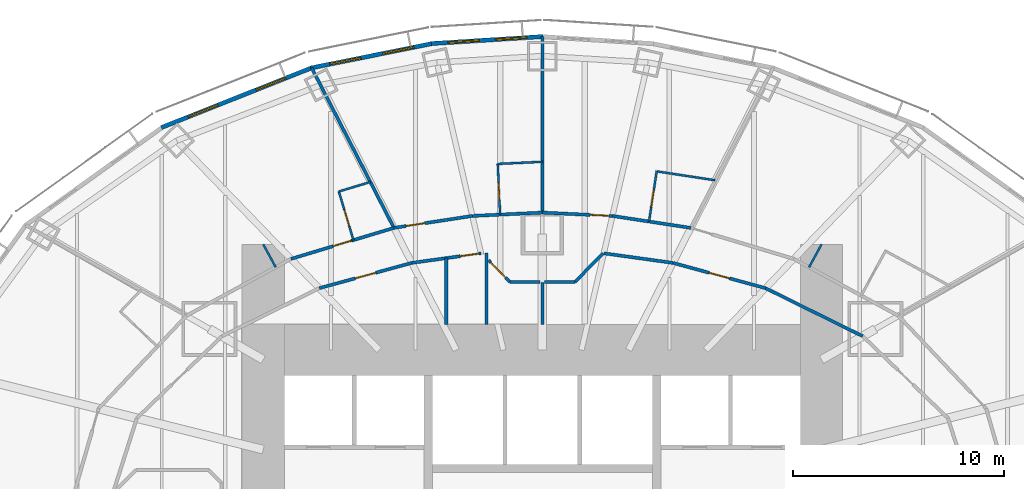
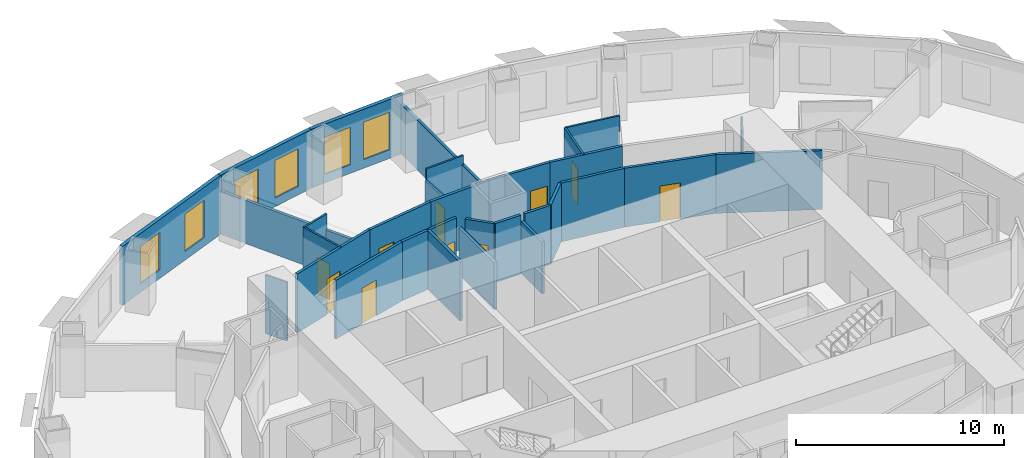
# One storey, part 9 of 15: 30 walls, 10 doors, 6 windows, 16 openings.
"""IFC4 building model written with IfcOpenShell, lengths in metres."""

import ifcopenshell
import ifcopenshell.guid

model = None  # the IFC model being written
_history = None  # IfcOwnerHistory: only IFC2X3 demands one
_inside = {}  # id of a spatial element -> (the spatial element, [elements in it])
_under = {}  # id of a project, library or spatial element -> (it, [spatial elements below it])
_declared = {}  # id of a project -> (the project, [libraries it declares])
_typed = {}  # id of a type object -> (the type object, [elements of that type])
_made_of = {}  # id of a material, layer set ... -> (it, [elements and type objects made of it])


def new_model(schema):
    """Start an empty IFC model of exactly this schema.

    Asked for "IFC4X3", IfcOpenShell would pick the latest addendum, in which some entities
    have other attributes; the version numbers below select the first issue.
    IFC2X3 requires an IfcOwnerHistory on every rooted entity: one is made here for all.
    """
    global model, _history
    if schema == "IFC4X3":
        model = ifcopenshell.file(schema_version=(4, 3, 0, 0))
    else:
        model = ifcopenshell.file(schema=schema)
    _inside.clear()
    _under.clear()
    _declared.clear()
    _typed.clear()
    _made_of.clear()
    _history = None
    if model.schema == "IFC2X3":
        org = make("IfcOrganization", Name="unknown")
        user = make(
            "IfcPersonAndOrganization",
            ThePerson=make("IfcPerson", FamilyName="unknown"),
            TheOrganization=org,
        )
        app = make(
            "IfcApplication",
            ApplicationDeveloper=org,
            Version="unknown",
            ApplicationFullName="unknown",
            ApplicationIdentifier="unknown",
        )
        _history = make(
            "IfcOwnerHistory",
            OwningUser=user,
            OwningApplication=app,
            ChangeAction="ADDED",
            CreationDate=0,
        )
    return model


def make(cls, **values):
    """One entity of the class cls with the attributes given. An attribute that is None is left unset."""
    return model.create_entity(
        cls, **{name: value for name, value in values.items() if value is not None}
    )


def rooted(cls, **values):
    """An entity with a GlobalId (a new one), such as an element, a storey or a relation."""
    return make(cls, GlobalId=ifcopenshell.guid.new(), OwnerHistory=_history, **values)


def si_unit(unit_type, name, prefix=None):
    """IfcSIUnit, for example si_unit("LENGTHUNIT", "METRE", prefix="MILLI")."""
    return make("IfcSIUnit", UnitType=unit_type, Prefix=prefix, Name=name)


def assignment(units):
    """IfcUnitAssignment: the units of a project."""
    return None if units is None else make("IfcUnitAssignment", Units=units)


def point(xyz):
    """IfcCartesianPoint."""
    return None if xyz is None else make("IfcCartesianPoint", Coordinates=xyz)


def direction(xyz):
    """IfcDirection."""
    return None if xyz is None else make("IfcDirection", DirectionRatios=xyz)


def frame(location, z_axis=None, x_axis=None):
    """IfcAxis2Placement3D, a coordinate frame: its origin and axes. An axis left out is left unset."""
    return make(
        "IfcAxis2Placement3D",
        Location=point(location),
        Axis=direction(z_axis),
        RefDirection=direction(x_axis),
    )


def frame_2d(location, x_axis=None):
    """IfcAxis2Placement2D, a coordinate frame in the plane: its origin and x axis."""
    return make(
        "IfcAxis2Placement2D", Location=point(location), RefDirection=direction(x_axis)
    )


def origin():
    """The frame at (0, 0, 0) with its axes left unset."""
    return frame((0.0, 0.0, 0.0))


def place(relative_to, where):
    """IfcLocalPlacement: puts the frame where relative to a parent placement (None: the world)."""
    return make(
        "IfcLocalPlacement", PlacementRelTo=relative_to, RelativePlacement=where
    )


def context(
    kind, dimensions, precision=None, world=None, true_north=None, identifier=None
):
    """IfcGeometricRepresentationContext, for example the 3D "Model" context."""
    return make(
        "IfcGeometricRepresentationContext",
        ContextIdentifier=identifier,
        ContextType=kind,
        CoordinateSpaceDimension=dimensions,
        Precision=precision,
        WorldCoordinateSystem=world,
        TrueNorth=true_north,
    )


def subcontext(parent, identifier, kind, view, scale=None):
    """IfcGeometricRepresentationSubContext, for example "Body" below "Model"."""
    return make(
        "IfcGeometricRepresentationSubContext",
        ContextIdentifier=identifier,
        ContextType=kind,
        ParentContext=parent,
        TargetScale=scale,
        TargetView=view,
    )


def project(units=None, contexts=None):
    """IfcProject with its units and contexts."""
    return rooted(
        "IfcProject",
        Name="project",
        RepresentationContexts=contexts,
        UnitsInContext=assignment(units),
    )


def spatial(cls, under=None, at=None, **own):
    """A site, building, storey or space (cls), placed at a placement, below another one or the project."""
    s = rooted(cls, ObjectPlacement=at, **own)
    if under is not None:
        _under.setdefault(under.id(), (under, []))[1].append(s)
    return s


def profile(cls, at=None, kind="AREA", **sizes):
    """A parametric profile (cls). Its sizes go by their IFC names, for example OverallWidth=200.0."""
    return make(cls, ProfileType=kind, Position=at, **sizes)


def rectangle(**sizes):
    """IfcRectangleProfileDef."""
    return profile("IfcRectangleProfileDef", **sizes)


def extrude(swept, where, along, depth):
    """IfcExtrudedAreaSolid: the profile swept, set in the frame where, extruded along a direction by depth."""
    return make(
        "IfcExtrudedAreaSolid",
        SweptArea=swept,
        Position=where,
        ExtrudedDirection=direction(along),
        Depth=depth,
    )


def shape(context_of_items, identifier, shape_type, items):
    """IfcShapeRepresentation: the items that make up one representation, for example the "Body"."""
    return make(
        "IfcShapeRepresentation",
        ContextOfItems=context_of_items,
        RepresentationIdentifier=identifier,
        RepresentationType=shape_type,
        Items=items,
    )


def material(Name=None, Category=None):
    """IfcMaterial."""
    return make("IfcMaterial", Name=Name, Category=Category)


def layer(
    of_material, thickness, ventilated=None, Name=None, Category=None, Priority=None
):
    """IfcMaterialLayer: one layer of a wall or slab, of a material (None: an air gap)."""
    return make(
        "IfcMaterialLayer",
        Material=of_material,
        LayerThickness=thickness,
        IsVentilated=ventilated,
        Name=Name,
        Category=Category,
        Priority=Priority,
    )


def layer_set(layers, Name=None):
    """IfcMaterialLayerSet."""
    return make("IfcMaterialLayerSet", MaterialLayers=layers, LayerSetName=Name)


def made_of(thing, what):
    """Note that an element or type object is made of a material, layer set ...; save() writes the relation."""
    if what is not None:
        _made_of.setdefault(what.id(), (what, []))[1].append(thing)
    return thing


def type_object(cls, material=None, **own):
    """A type object (cls), such as IfcWallType, which elements share."""
    return made_of(rooted(cls, **own), material)


def element(
    cls,
    number,
    at=None,
    inside=None,
    cuts=None,
    type_object=None,
    material=None,
    context=None,
    identifier="Body",
    shape_type=None,
    held_by="IfcProductDefinitionShape",
    body=None,
    shapes=None,
    **own,
):
    """One element of the class cls, such as IfcWall. Its Tag is "e" and its number.

    at: its placement. inside: the storey or other place that contains it. cuts: it is an
    opening in that element (IfcRelVoidsElement). A single representation is given by context,
    identifier, shape_type and body (its items); several are given by shapes. held_by: the class
    of the entity that holds the representations. save() writes the other relations.
    """
    e = rooted(cls, Tag="e%d" % number, ObjectPlacement=at, **own)
    if body is not None:
        shapes = [shape(context, identifier, shape_type, body)]
    if shapes is not None:
        e.Representation = make(held_by, Representations=shapes)
    if inside is not None:
        _inside.setdefault(inside.id(), (inside, []))[1].append(e)
    if cuts is not None:
        rooted(
            "IfcRelVoidsElement", RelatingBuildingElement=cuts, RelatedOpeningElement=e
        )
    if type_object is not None:
        _typed.setdefault(type_object.id(), (type_object, []))[1].append(e)
    return made_of(e, material)


def fill(opening, filler):
    """IfcRelFillsElement: the door or window that sits in an opening."""
    return rooted(
        "IfcRelFillsElement",
        RelatingOpeningElement=opening,
        RelatedBuildingElement=filler,
    )


def aggregate(whole, parts):
    """IfcRelAggregates: a whole, such as a stair, and the parts it consists of."""
    return rooted("IfcRelAggregates", RelatingObject=whole, RelatedObjects=parts)


def save(model, path):
    """Write the relations noted so far, then the file.

    IfcRelAggregates (storeys below a building ...), IfcRelContainedInSpatialStructure (elements
    in a storey), IfcRelDefinesByType, IfcRelAssociatesMaterial and IfcRelDeclares: one each for
    every whole, place, type object, material and project.
    """
    for whole, parts in _under.values():
        aggregate(whole, parts)
    for where, things in _inside.values():
        rooted(
            "IfcRelContainedInSpatialStructure",
            RelatedElements=things,
            RelatingStructure=where,
        )
    for kind, things in _typed.values():
        rooted("IfcRelDefinesByType", RelatedObjects=things, RelatingType=kind)
    for what, things in _made_of.values():
        rooted("IfcRelAssociatesMaterial", RelatedObjects=things, RelatingMaterial=what)
    for by, libraries in _declared.values():
        rooted("IfcRelDeclares", RelatingContext=by, RelatedDefinitions=libraries)
    model.write(path)


model = new_model("IFC4")

# Units and contexts
model_context = context("Model", 3, precision=1e-05, world=origin(), true_north=direction((0.0, 1.0)))
body_context = subcontext(model_context, "Body", "Model", "MODEL_VIEW")
ifc_project = project(units=[si_unit("LENGTHUNIT", "METRE"), si_unit("AREAUNIT", "SQUARE_METRE"), si_unit("VOLUMEUNIT", "CUBIC_METRE"), si_unit("PLANEANGLEUNIT", "RADIAN"), si_unit("MASSUNIT", "GRAM", prefix="KILO")], contexts=[model_context])

# Site, building, storey
site_placement = place(None, origin())
site = spatial("IfcSite", under=ifc_project, at=site_placement, CompositionType="ELEMENT")
building_placement = place(site_placement, origin())
building = spatial("IfcBuilding", under=site, at=building_placement, Name="Lantaw Convention Tower", CompositionType="ELEMENT")
storey_placement = place(building_placement, frame((0.0, 0.0, 91.0)))
storey = spatial("IfcBuildingStorey", under=building, at=storey_placement, Name="L21", CompositionType="ELEMENT", Elevation=91.0)

# Walls
ifc_material_1 = material(Name="Gypsum board on steel studs", Category="steel")
ifc_layer_1 = layer(ifc_material_1, 0.14990234375)
ifc_layer_set_1 = layer_set([ifc_layer_1], Name="Back of house wall 150")
wall_type_1 = type_object("IfcWallType", Name="Back of house wall 150", PredefinedType="PARTITIONING", material=ifc_layer_set_1)
wall_1_placement = place(storey_placement, frame((0.0, 9.199951171875, 0.0), z_axis=(0.0, 0.0, 1.0), x_axis=(0.0, 1.0, 0.0)))
element("IfcWall", 1, at=wall_1_placement, inside=storey, type_object=wall_type_1, Name="Back of house wall 150", PredefinedType="PARTITIONING", context=body_context, shape_type="SweptSolid", body=[
    extrude(rectangle(XDim=2.005126953125, YDim=0.14990234375, at=frame_2d((1.00244140625, 0.0))), origin(), (0.0, 0.0, 1.0), 3.043701171875),
])
wall_2_placement = place(storey_placement, frame((-0.103271484375, 11.215087890625, 0.0), z_axis=(0.0, 0.0, 1.0), x_axis=(-1.0, 0.0, 0.0)))
element("IfcWall", 2, at=wall_2_placement, inside=storey, type_object=wall_type_1, Name="Back of house wall 150", PredefinedType="PARTITIONING", context=body_context, shape_type="SweptSolid", body=[
    extrude(rectangle(XDim=1.428955078125, YDim=0.14990234375, at=frame_2d((0.71435546875, 0.0))), origin(), (0.0, 0.0, 1.0), 3.449951171875),
])

# Wall, opening, door
ifc_material_2 = material(Name="Moisture resistant gypsum board on steel studs", Category="steel")
ifc_layer_2 = layer(ifc_material_2, 0.10009765625)
ifc_layer_set_2 = layer_set([ifc_layer_2], Name="Bathroom wall 100")
wall_type_2 = type_object("IfcWallType", Name="Bathroom wall 100", PredefinedType="PARTITIONING", material=ifc_layer_set_2)
wall_3_placement = place(storey_placement, frame((5.042236328125, 14.077880859375, 0.0), z_axis=(0.0, 0.0, 1.0), x_axis=(0.150856962013, 0.988555601376, 0.0)))
wall_3 = element("IfcWall", 3, at=wall_3_placement, inside=storey, type_object=wall_type_2, Name="Bathroom wall 100", PredefinedType="PARTITIONING", context=body_context, shape_type="SweptSolid", body=[
    extrude(rectangle(XDim=2.400146484375, YDim=0.10009765625, at=frame_2d((1.2001953125, 0.0))), origin(), (0.0, 0.0, 1.0), 3.449951171875),
])
opening_1_placement = place(wall_3_placement, frame((0.699951171875, 0.0, 0.0)))
opening_1 = element("IfcOpeningElement", 4, at=opening_1_placement, cuts=wall_3, Name="Opening L21.29", PredefinedType="OPENING", context=body_context, shape_type="SweptSolid", body=[
    extrude(rectangle(XDim=0.800048828125, YDim=2.10009765625, at=frame_2d((0.39990234375, 1.050048828125))), frame((0.0, 0.06005859375, 0.0), z_axis=(0.0, -1.0, 0.0), x_axis=(1.0, 0.0, 0.0)), (0.0, 0.0, 1.0), 0.1201171875),
])
ifc_material_3 = material(Name="Timber", Category="wood")
door_type_1 = type_object("IfcDoorType", Name="Bathroom door 800", OperationType="SINGLE_SWING_LEFT", PredefinedType="DOOR", material=ifc_material_3)
door_1_placement = place(opening_1_placement, origin())
door_1 = element("IfcDoor", 5, at=door_1_placement, inside=storey, type_object=door_type_1, Name="Bathroom door", OperationType="SINGLE_SWING_LEFT", OverallHeight=2.10009765625, OverallWidth=0.800048828125, PredefinedType="DOOR", context=body_context, shape_type="SweptSolid", body=[
    extrude(rectangle(XDim=0.800048828125, YDim=2.10009765625, at=frame_2d((0.39990234375, 1.050048828125))), frame((0.0, 0.02490234375, 0.0), z_axis=(0.0, -1.0, 0.0), x_axis=(1.0, 0.0, 0.0)), (0.0, 0.0, 1.0), 0.050048828125),
])
fill(opening_1, door_1)

# Wall
wall_4_placement = place(storey_placement, frame((5.404296875, 16.450439453125, 0.0), z_axis=(0.0, 0.0, 1.0), x_axis=(0.988568792086, -0.150770498819, 0.0)))
element("IfcWall", 6, at=wall_4_placement, inside=storey, type_object=wall_type_2, Name="Bathroom wall 100", PredefinedType="PARTITIONING", context=body_context, shape_type="SweptSolid", body=[
    extrude(rectangle(XDim=2.794921875, YDim=0.10009765625, at=frame_2d((1.3974609375, 0.0))), origin(), (0.0, 0.0, 1.0), 3.449951171875),
])

# Wall, opening, door
wall_5_placement = place(storey_placement, frame((-1.997802734375, 14.40478515625, 0.0), z_axis=(0.0, 0.0, 1.0), x_axis=(-0.047608648396, 0.998866065395, 0.0)))
wall_5 = element("IfcWall", 7, at=wall_5_placement, inside=storey, type_object=wall_type_2, Name="Bathroom wall 100", PredefinedType="PARTITIONING", context=body_context, shape_type="SweptSolid", body=[
    extrude(rectangle(XDim=2.39990234375, YDim=0.10009765625, at=frame_2d((1.199951171875, 0.0))), origin(), (0.0, 0.0, 1.0), 2.7490234375),
])
opening_2_placement = place(wall_5_placement, frame((0.699951171875, 0.0, 0.0)))
opening_2 = element("IfcOpeningElement", 8, at=opening_2_placement, cuts=wall_5, Name="Opening L21.31", PredefinedType="OPENING", context=body_context, shape_type="SweptSolid", body=[
    extrude(rectangle(XDim=0.800048828125, YDim=2.10009765625, at=frame_2d((0.39990234375, 1.050048828125))), frame((0.0, 0.06005859375, 0.0), z_axis=(0.0, -1.0, 0.0), x_axis=(1.0, 0.0, 0.0)), (0.0, 0.0, 1.0), 0.1201171875),
])
door_2_placement = place(opening_2_placement, origin())
door_2 = element("IfcDoor", 9, at=door_2_placement, inside=storey, type_object=door_type_1, Name="Bathroom door", OperationType="SINGLE_SWING_LEFT", OverallHeight=2.10009765625, OverallWidth=0.800048828125, PredefinedType="DOOR", context=body_context, shape_type="SweptSolid", body=[
    extrude(rectangle(XDim=0.800048828125, YDim=2.10009765625, at=frame_2d((0.39990234375, 1.050048828125))), frame((0.0, 0.02490234375, 0.0), z_axis=(0.0, -1.0, 0.0), x_axis=(1.0, 0.0, 0.0)), (0.0, 0.0, 1.0), 0.050048828125),
])
fill(opening_2, door_2)

# Wall
wall_6_placement = place(storey_placement, frame((-2.112060546875, 16.802001953125, 0.0), z_axis=(0.0, 0.0, 1.0), x_axis=(0.998862383453, 0.047685835668, 0.0)))
element("IfcWall", 10, at=wall_6_placement, inside=storey, type_object=wall_type_2, Name="Bathroom wall 100", PredefinedType="PARTITIONING", context=body_context, shape_type="SweptSolid", body=[
    extrude(rectangle(XDim=2.114501953125, YDim=0.10009765625, at=frame_2d((1.05712890625, 0.0))), origin(), (0.0, 0.0, 1.0), 3.449951171875),
])

# Wall, opening, door
wall_7_placement = place(storey_placement, frame((-8.9345703125, 13.199951171875, 0.0), z_axis=(0.0, 0.0, 1.0), x_axis=(-0.288197066254, 0.957571120598, 0.0)))
wall_7 = element("IfcWall", 11, at=wall_7_placement, inside=storey, type_object=wall_type_2, Name="Bathroom wall 100", PredefinedType="PARTITIONING", context=body_context, shape_type="SweptSolid", body=[
    extrude(rectangle(XDim=2.39990234375, YDim=0.10009765625, at=frame_2d((1.199951171875, 0.0))), origin(), (0.0, 0.0, 1.0), 3.449951171875),
])
opening_3_placement = place(wall_7_placement, frame((0.699951171875, 0.0, 0.0)))
opening_3 = element("IfcOpeningElement", 12, at=opening_3_placement, cuts=wall_7, Name="Opening L21.33", PredefinedType="OPENING", context=body_context, shape_type="SweptSolid", body=[
    extrude(rectangle(XDim=0.800048828125, YDim=2.10009765625, at=frame_2d((0.39990234375, 1.050048828125))), frame((0.0, 0.06005859375, 0.0), z_axis=(0.0, -1.0, 0.0), x_axis=(1.0, 0.0, 0.0)), (0.0, 0.0, 1.0), 0.1201171875),
])
door_3_placement = place(opening_3_placement, origin())
door_3 = element("IfcDoor", 13, at=door_3_placement, inside=storey, type_object=door_type_1, Name="Bathroom door", OperationType="SINGLE_SWING_LEFT", OverallHeight=2.10009765625, OverallWidth=0.800048828125, PredefinedType="DOOR", context=body_context, shape_type="SweptSolid", body=[
    extrude(rectangle(XDim=0.800048828125, YDim=2.10009765625, at=frame_2d((0.39990234375, 1.050048828125))), frame((0.0, 0.02490234375, 0.0), z_axis=(0.0, -1.0, 0.0), x_axis=(1.0, 0.0, 0.0)), (0.0, 0.0, 1.0), 0.050048828125),
])
fill(opening_3, door_3)

# Walls
wall_8_placement = place(storey_placement, frame((-9.626220703125, 15.498046875, 0.0), z_axis=(0.0, 0.0, 1.0), x_axis=(0.957551231109, 0.288263143328, 0.0)))
element("IfcWall", 14, at=wall_8_placement, inside=storey, type_object=wall_type_2, Name="Bathroom wall 100", PredefinedType="PARTITIONING", context=body_context, shape_type="SweptSolid", body=[
    extrude(rectangle(XDim=1.56591796875, YDim=0.10009765625, at=frame_2d((0.782958984375, 0.0))), origin(), (0.0, 0.0, 1.0), 3.449951171875),
])
ifc_material_4 = material(Name="Gypsum board on steel studs, fire rated", Category="steel")
ifc_layer_3 = layer(ifc_material_4, 0.14990234375)
ifc_layer_set_3 = layer_set([ifc_layer_3], Name="Corridor wall 150 EI 60")
wall_type_3 = type_object("IfcWallType", Name="Corridor wall 150 EI 60", PredefinedType="PARTITIONING", material=ifc_layer_set_3)
wall_9_placement = place(storey_placement, frame((7.019287109375, 13.7763671875, 0.0), z_axis=(0.0, 0.0, 1.0), x_axis=(-0.988564270062, 0.150800145746, 0.0)))
element("IfcWall", 15, at=wall_9_placement, inside=storey, type_object=wall_type_3, Name="Corridor wall 150", PredefinedType="PARTITIONING", context=body_context, shape_type="SweptSolid", body=[
    extrude(rectangle(XDim=3.751220703125, YDim=0.14990234375, at=frame_2d((1.87548828125, 0.0))), origin(), (0.0, 0.0, 1.0), 3.449951171875),
])

# Wall, opening, door
wall_10_placement = place(storey_placement, frame((3.31103515625, 14.342041015625, 0.0), z_axis=(0.0, 0.0, 1.0), x_axis=(-0.998863968075, 0.047652631422, 0.0)))
wall_10 = element("IfcWall", 16, at=wall_10_placement, inside=storey, type_object=wall_type_3, Name="Corridor wall 150", PredefinedType="PARTITIONING", context=body_context, shape_type="SweptSolid", body=[
    extrude(rectangle(XDim=3.314697265625, YDim=0.14990234375, at=frame_2d((1.6572265625, 0.0))), origin(), (0.0, 0.0, 1.0), 3.449951171875),
])
opening_4_placement = place(wall_10_placement, frame((0.14990234375, 0.0, 0.0)))
opening_4 = element("IfcOpeningElement", 17, at=opening_4_placement, cuts=wall_10, Name="Opening L21.30", PredefinedType="OPENING", context=body_context, shape_type="SweptSolid", body=[
    extrude(rectangle(XDim=0.89990234375, YDim=2.10009765625, at=frame_2d((0.449951171875, 1.050048828125))), frame((0.0, 0.0849609375, 0.0), z_axis=(0.0, -1.0, 0.0), x_axis=(1.0, 0.0, 0.0)), (0.0, 0.0, 1.0), 0.169921875),
])
ifc_material_5 = material(Name="Steel, fire rated", Category="steel")
door_type_2 = type_object("IfcDoorType", Name="Guest room entrance door FD30S", OperationType="SINGLE_SWING_LEFT", PredefinedType="DOOR", material=ifc_material_5)
door_4_placement = place(opening_4_placement, origin())
door_4 = element("IfcDoor", 18, at=door_4_placement, inside=storey, type_object=door_type_2, Name="Junior suite entrance door", OperationType="SINGLE_SWING_LEFT", OverallHeight=2.10009765625, OverallWidth=0.89990234375, PredefinedType="DOOR", context=body_context, shape_type="SweptSolid", body=[
    extrude(rectangle(XDim=0.89990234375, YDim=2.10009765625, at=frame_2d((0.449951171875, 1.050048828125))), frame((0.0, 0.02490234375, 0.0), z_axis=(0.0, -1.0, 0.0), x_axis=(1.0, 0.0, 0.0)), (0.0, 0.0, 1.0), 0.050048828125),
])
fill(opening_4, door_4)

# Wall
wall_11_placement = place(storey_placement, frame((0.0, 14.5, 0.0), z_axis=(0.0, 0.0, 1.0), x_axis=(-0.998863968075, -0.047652631422, 0.0)))
element("IfcWall", 19, at=wall_11_placement, inside=storey, type_object=wall_type_3, Name="Corridor wall 150", PredefinedType="PARTITIONING", context=body_context, shape_type="SweptSolid", body=[
    extrude(rectangle(XDim=3.314697265625, YDim=0.14990234375, at=frame_2d((1.6572265625, 0.0))), origin(), (0.0, 0.0, 1.0), 3.449951171875),
])

# Wall, opening, door
wall_12_placement = place(storey_placement, frame((-3.31103515625, 14.342041015625, 0.0), z_axis=(0.0, 0.0, 1.0), x_axis=(-0.988564270062, -0.150800145746, 0.0)))
wall_12 = element("IfcWall", 20, at=wall_12_placement, inside=storey, type_object=wall_type_3, Name="Corridor wall 150", PredefinedType="PARTITIONING", context=body_context, shape_type="SweptSolid", body=[
    extrude(rectangle(XDim=3.751220703125, YDim=0.14990234375, at=frame_2d((1.87548828125, 0.0))), origin(), (0.0, 0.0, 1.0), 3.449951171875),
])
opening_5_placement = place(wall_12_placement, frame((2.27587890625, 0.0, 0.0)))
opening_5 = element("IfcOpeningElement", 21, at=opening_5_placement, cuts=wall_12, Name="Opening L21.32", PredefinedType="OPENING", context=body_context, shape_type="SweptSolid", body=[
    extrude(rectangle(XDim=0.89990234375, YDim=2.10009765625, at=frame_2d((0.449951171875, 1.050048828125))), frame((0.0, 0.0849609375, 0.0), z_axis=(0.0, -1.0, 0.0), x_axis=(1.0, 0.0, 0.0)), (0.0, 0.0, 1.0), 0.169921875),
])
door_5_placement = place(opening_5_placement, origin())
door_5 = element("IfcDoor", 22, at=door_5_placement, inside=storey, type_object=door_type_2, Name="Junior suite entrance door", OperationType="SINGLE_SWING_LEFT", OverallHeight=2.10009765625, OverallWidth=0.89990234375, PredefinedType="DOOR", context=body_context, shape_type="SweptSolid", body=[
    extrude(rectangle(XDim=0.89990234375, YDim=2.10009765625, at=frame_2d((0.449951171875, 1.050048828125))), frame((0.0, 0.02490234375, 0.0), z_axis=(0.0, -1.0, 0.0), x_axis=(1.0, 0.0, 0.0)), (0.0, 0.0, 1.0), 0.050048828125),
])
fill(opening_5, door_5)

wall_13_placement = place(storey_placement, frame((-7.019287109375, 13.7763671875, 0.0), z_axis=(0.0, 0.0, 1.0), x_axis=(-0.957564241242, -0.288219922793, 0.0)))
wall_13 = element("IfcWall", 23, at=wall_13_placement, inside=storey, type_object=wall_type_3, Name="Corridor wall 150", PredefinedType="PARTITIONING", context=body_context, shape_type="SweptSolid", body=[
    extrude(rectangle(XDim=5.0849609375, YDim=0.14990234375, at=frame_2d((2.54248046875, 0.0))), origin(), (0.0, 0.0, 1.0), 3.449951171875),
])
opening_6_placement = place(wall_13_placement, frame((2.10009765625, 0.0, 0.0)))
opening_6 = element("IfcOpeningElement", 24, at=opening_6_placement, cuts=wall_13, Name="Opening L21.34", PredefinedType="OPENING", context=body_context, shape_type="SweptSolid", body=[
    extrude(rectangle(XDim=0.89990234375, YDim=2.10009765625, at=frame_2d((0.449951171875, 1.050048828125))), frame((0.0, 0.0849609375, 0.0), z_axis=(0.0, -1.0, 0.0), x_axis=(1.0, 0.0, 0.0)), (0.0, 0.0, 1.0), 0.169921875),
])
door_6_placement = place(opening_6_placement, origin())
door_6 = element("IfcDoor", 25, at=door_6_placement, inside=storey, type_object=door_type_2, Name="Junior suite entrance door", OperationType="SINGLE_SWING_LEFT", OverallHeight=2.10009765625, OverallWidth=0.89990234375, PredefinedType="DOOR", context=body_context, shape_type="SweptSolid", body=[
    extrude(rectangle(XDim=0.89990234375, YDim=2.10009765625, at=frame_2d((0.449951171875, 1.050048828125))), frame((0.0, 0.02490234375, 0.0), z_axis=(0.0, -1.0, 0.0), x_axis=(1.0, 0.0, 0.0)), (0.0, 0.0, 1.0), 0.050048828125),
])
fill(opening_6, door_6)

# Wall
wall_14_placement = place(storey_placement, frame((15.1474609375, 8.65576171875, 0.0), z_axis=(0.0, 0.0, 1.0), x_axis=(-0.89656943448, 0.442903205177, 0.0)))
element("IfcWall", 26, at=wall_14_placement, inside=storey, type_object=wall_type_3, Name="Corridor wall 150", PredefinedType="PARTITIONING", context=body_context, shape_type="SweptSolid", body=[
    extrude(rectangle(XDim=5.12646484375, YDim=0.14990234375, at=frame_2d((2.563232421875, 0.0))), origin(), (0.0, 0.0, 1.0), 3.449951171875),
])

# Wall, opening, door
wall_15_placement = place(storey_placement, frame((10.55126953125, 10.92626953125, 0.0), z_axis=(0.0, 0.0, 1.0), x_axis=(-0.964644466646, 0.263554648923, 0.0)))
wall_15 = element("IfcWall", 27, at=wall_15_placement, inside=storey, type_object=wall_type_3, Name="Corridor wall 150", PredefinedType="PARTITIONING", context=body_context, shape_type="SweptSolid", body=[
    extrude(rectangle(XDim=4.535400390625, YDim=0.14990234375, at=frame_2d((2.267578125, 0.0))), origin(), (0.0, 0.0, 1.0), 3.449951171875),
])
opening_7_placement = place(wall_15_placement, frame((1.767578125, 0.0, 0.0)))
opening_7 = element("IfcOpeningElement", 28, at=opening_7_placement, cuts=wall_15, Name="Opening L21.15", PredefinedType="OPENING", context=body_context, shape_type="SweptSolid", body=[
    extrude(rectangle(XDim=1.0, YDim=2.10009765625, at=frame_2d((0.5, 1.050048828125))), frame((0.0, 0.0849609375, 0.0), z_axis=(0.0, -1.0, 0.0), x_axis=(1.0, 0.0, 0.0)), (0.0, 0.0, 1.0), 0.169921875),
])
door_type_3 = type_object("IfcDoorType", Name="Service door 1000 FD30", OperationType="SINGLE_SWING_LEFT", PredefinedType="DOOR", material=ifc_material_5)
door_7_placement = place(opening_7_placement, origin())
door_7 = element("IfcDoor", 29, at=door_7_placement, inside=storey, type_object=door_type_3, Name="Linen store door", OperationType="SINGLE_SWING_LEFT", OverallHeight=2.10009765625, OverallWidth=1.0, PredefinedType="DOOR", context=body_context, shape_type="SweptSolid", body=[
    extrude(rectangle(XDim=1.0, YDim=2.10009765625, at=frame_2d((0.5, 1.050048828125))), frame((0.0, 0.02490234375, 0.0), z_axis=(0.0, -1.0, 0.0), x_axis=(1.0, 0.0, 0.0)), (0.0, 0.0, 1.0), 0.050048828125),
])
fill(opening_7, door_7)

# Wall
wall_16_placement = place(storey_placement, frame((6.17626953125, 12.12158203125, 0.0), z_axis=(0.0, 0.0, 1.0), x_axis=(-0.990563451353, 0.137054911782, 0.0)))
element("IfcWall", 30, at=wall_16_placement, inside=storey, type_object=wall_type_3, Name="Corridor wall 150", PredefinedType="PARTITIONING", context=body_context, shape_type="SweptSolid", body=[
    extrude(rectangle(XDim=3.304443359375, YDim=0.14990234375, at=frame_2d((1.65234375, 0.0))), origin(), (0.0, 0.0, 1.0), 3.449951171875),
])

# Wall, opening, door
wall_17_placement = place(storey_placement, frame((-2.903076171875, 12.574462890625, 0.0), z_axis=(0.0, 0.0, 1.0), x_axis=(-0.990563451353, -0.137054911782, 0.0)))
wall_17 = element("IfcWall", 31, at=wall_17_placement, inside=storey, type_object=wall_type_3, Name="Corridor wall 150", PredefinedType="PARTITIONING", context=body_context, shape_type="SweptSolid", body=[
    extrude(rectangle(XDim=3.304443359375, YDim=0.14990234375, at=frame_2d((1.65234375, 0.0))), origin(), (0.0, 0.0, 1.0), 3.449951171875),
])
opening_8_placement = place(wall_17_placement, frame((0.10009765625, 0.0, 0.0)))
opening_8 = element("IfcOpeningElement", 32, at=opening_8_placement, cuts=wall_17, Name="Opening L21.18", PredefinedType="OPENING", context=body_context, shape_type="SweptSolid", body=[
    extrude(rectangle(XDim=0.89990234375, YDim=2.10009765625, at=frame_2d((0.449951171875, 1.050048828125))), frame((0.0, 0.0849609375, 0.0), z_axis=(0.0, -1.0, 0.0), x_axis=(1.0, 0.0, 0.0)), (0.0, 0.0, 1.0), 0.169921875),
])
door_type_4 = type_object("IfcDoorType", Name="WC door 900 FD30", OperationType="SINGLE_SWING_LEFT", PredefinedType="DOOR", material=ifc_material_5)
door_8_placement = place(opening_8_placement, origin())
door_8 = element("IfcDoor", 33, at=door_8_placement, inside=storey, type_object=door_type_4, Name="Staff WC door", OperationType="SINGLE_SWING_LEFT", OverallHeight=2.10009765625, OverallWidth=0.89990234375, PredefinedType="DOOR", context=body_context, shape_type="SweptSolid", body=[
    extrude(rectangle(XDim=0.89990234375, YDim=2.10009765625, at=frame_2d((0.449951171875, 1.050048828125))), frame((0.0, 0.02490234375, 0.0), z_axis=(0.0, -1.0, 0.0), x_axis=(1.0, 0.0, 0.0)), (0.0, 0.0, 1.0), 0.050048828125),
])
fill(opening_8, door_8)

wall_18_placement = place(storey_placement, frame((-6.17626953125, 12.12158203125, 0.0), z_axis=(0.0, 0.0, 1.0), x_axis=(-0.964644466646, -0.263554648923, 0.0)))
wall_18 = element("IfcWall", 34, at=wall_18_placement, inside=storey, type_object=wall_type_3, Name="Corridor wall 150", PredefinedType="PARTITIONING", context=body_context, shape_type="SweptSolid", body=[
    extrude(rectangle(XDim=4.535400390625, YDim=0.14990234375, at=frame_2d((2.267578125, 0.0))), origin(), (0.0, 0.0, 1.0), 3.449951171875),
])
opening_9_placement = place(wall_18_placement, frame((1.767578125, 0.0, 0.0)))
opening_9 = element("IfcOpeningElement", 35, at=opening_9_placement, cuts=wall_18, Name="Opening L21.19", PredefinedType="OPENING", context=body_context, shape_type="SweptSolid", body=[
    extrude(rectangle(XDim=1.0, YDim=2.10009765625, at=frame_2d((0.5, 1.050048828125))), frame((0.0, 0.0849609375, 0.0), z_axis=(0.0, -1.0, 0.0), x_axis=(1.0, 0.0, 0.0)), (0.0, 0.0, 1.0), 0.169921875),
])
door_9_placement = place(opening_9_placement, origin())
door_9 = element("IfcDoor", 36, at=door_9_placement, inside=storey, type_object=door_type_3, Name="Housekeeping room door", OperationType="SINGLE_SWING_LEFT", OverallHeight=2.10009765625, OverallWidth=1.0, PredefinedType="DOOR", context=body_context, shape_type="SweptSolid", body=[
    extrude(rectangle(XDim=1.0, YDim=2.10009765625, at=frame_2d((0.5, 1.050048828125))), frame((0.0, 0.02490234375, 0.0), z_axis=(0.0, -1.0, 0.0), x_axis=(1.0, 0.0, 0.0)), (0.0, 0.0, 1.0), 0.050048828125),
])
fill(opening_9, door_9)

# Walls
wall_19_placement = place(storey_placement, frame((2.87255859375, 12.572265625, 0.0), z_axis=(0.0, 0.0, 1.0), x_axis=(-0.702677261973, -0.711508724828, 0.0)))
element("IfcWall", 37, at=wall_19_placement, inside=storey, type_object=wall_type_3, Name="Corridor wall 150", PredefinedType="PARTITIONING", context=body_context, shape_type="SweptSolid", body=[
    extrude(rectangle(XDim=1.907470703125, YDim=0.14990234375, at=frame_2d((0.95361328125, 0.0))), origin(), (0.0, 0.0, 1.0), 3.449951171875),
])
wall_20_placement = place(storey_placement, frame((1.5322265625, 11.215087890625, 0.0), z_axis=(0.0, 0.0, 1.0), x_axis=(-1.0, 0.0, 0.0)))
element("IfcWall", 38, at=wall_20_placement, inside=storey, type_object=wall_type_3, Name="Corridor wall 150", PredefinedType="PARTITIONING", context=body_context, shape_type="SweptSolid", body=[
    extrude(rectangle(XDim=1.428955078125, YDim=0.14990234375, at=frame_2d((0.71435546875, 0.0))), origin(), (0.0, 0.0, 1.0), 3.449951171875),
])

# Wall, opening, door
wall_21_placement = place(storey_placement, frame((-1.5322265625, 11.215087890625, 0.0), z_axis=(0.0, 0.0, 1.0), x_axis=(-0.701250244986, 0.712915208077, 0.0)))
wall_21 = element("IfcWall", 39, at=wall_21_placement, inside=storey, type_object=wall_type_3, Name="Corridor wall 150", PredefinedType="PARTITIONING", context=body_context, shape_type="SweptSolid", body=[
    extrude(rectangle(XDim=1.444091796875, YDim=0.14990234375, at=frame_2d((0.72216796875, 0.0))), origin(), (0.0, 0.0, 1.0), 3.449951171875),
])
opening_10_placement = place(wall_21_placement, frame((0.300048828125, 0.0, 0.0)))
opening_10 = element("IfcOpeningElement", 40, at=opening_10_placement, cuts=wall_21, Name="Opening L21.17", PredefinedType="OPENING", context=body_context, shape_type="SweptSolid", body=[
    extrude(rectangle(XDim=1.0, YDim=2.10009765625, at=frame_2d((0.5, 1.050048828125))), frame((0.0, 0.0849609375, 0.0), z_axis=(0.0, -1.0, 0.0), x_axis=(1.0, 0.0, 0.0)), (0.0, 0.0, 1.0), 0.169921875),
])
door_type_5 = type_object("IfcDoorType", Name="Accessible WC door 1000 FD30", OperationType="SINGLE_SWING_LEFT", PredefinedType="DOOR", material=ifc_material_5)
door_10_placement = place(opening_10_placement, origin())
door_10 = element("IfcDoor", 41, at=door_10_placement, inside=storey, type_object=door_type_5, Name="Accessible WC door", OperationType="SINGLE_SWING_LEFT", OverallHeight=2.10009765625, OverallWidth=1.0, PredefinedType="DOOR", context=body_context, shape_type="SweptSolid", body=[
    extrude(rectangle(XDim=1.0, YDim=2.10009765625, at=frame_2d((0.5, 1.050048828125))), frame((0.0, 0.02490234375, 0.0), z_axis=(0.0, -1.0, 0.0), x_axis=(1.0, 0.0, 0.0)), (0.0, 0.0, 1.0), 0.050048828125),
])
fill(opening_10, door_10)

# Wall, openings, windows
ifc_material_6 = material(Name="Insulated aluminium panel on steel frame", Category="steel")
ifc_layer_4 = layer(ifc_material_6, 0.199951171875)
ifc_layer_set_4 = layer_set([ifc_layer_4], Name="External wall 200")
wall_type_4 = type_object("IfcWallType", Name="External wall 200", PredefinedType="SOLIDWALL", material=ifc_layer_set_4)
wall_22_placement = place(storey_placement, frame((0.041015625, 22.8271484375, 0.0), z_axis=(0.0, 0.0, 1.0), x_axis=(-0.998018582375, -0.062919863585, 0.0)))
wall_22 = element("IfcWall", 42, at=wall_22_placement, inside=storey, type_object=wall_type_4, Name="Facade panel wall", PredefinedType="SOLIDWALL", context=body_context, shape_type="SweptSolid", body=[
    extrude(rectangle(XDim=5.30419921875, YDim=0.199951171875, at=frame_2d((2.652099609375, 0.0))), origin(), (0.0, 0.0, 1.0), 3.449951171875),
])
opening_11_placement = place(wall_22_placement, frame((0.77587890625, 0.0, 0.5)))
opening_11 = element("IfcOpeningElement", 43, at=opening_11_placement, cuts=wall_22, Name="Opening W2", PredefinedType="OPENING", context=body_context, shape_type="SweptSolid", body=[
    extrude(rectangle(XDim=1.5, YDim=2.199951171875, at=frame_2d((0.75, 1.10009765625))), frame((0.0, 0.10986328125, 0.0), z_axis=(0.0, -1.0, 0.0), x_axis=(1.0, 0.0, 0.0)), (0.0, 0.0, 1.0), 0.219970703125),
])
opening_12_placement = place(wall_22_placement, frame((3.028076171875, 0.0, 0.5)))
opening_12 = element("IfcOpeningElement", 44, at=opening_12_placement, cuts=wall_22, Name="Opening W2", PredefinedType="OPENING", context=body_context, shape_type="SweptSolid", body=[
    extrude(rectangle(XDim=1.5, YDim=2.199951171875, at=frame_2d((0.75, 1.10009765625))), frame((0.0, 0.10986328125, 0.0), z_axis=(0.0, -1.0, 0.0), x_axis=(1.0, 0.0, 0.0)), (0.0, 0.0, 1.0), 0.219970703125),
])
ifc_material_7 = material(Name="Aluminium frame, clear insulating glass", Category="aluminium")
window_type = type_object("IfcWindowType", Name="Suite window 1500x2200", PartitioningType="SINGLE_PANEL", PredefinedType="WINDOW", material=ifc_material_7)
window_1_placement = place(opening_11_placement, origin())
window_1 = element("IfcWindow", 45, at=window_1_placement, inside=storey, type_object=window_type, Name="Guest room window", OverallHeight=2.199951171875, OverallWidth=1.5, PartitioningType="SINGLE_PANEL", PredefinedType="WINDOW", context=body_context, shape_type="SweptSolid", body=[
    extrude(rectangle(XDim=1.5, YDim=2.199951171875, at=frame_2d((0.75, 1.10009765625))), frame((0.0, 0.030029296875, 0.0), z_axis=(0.0, -1.0, 0.0), x_axis=(1.0, 0.0, 0.0)), (0.0, 0.0, 1.0), 0.06005859375),
])
fill(opening_11, window_1)
window_2_placement = place(opening_12_placement, origin())
window_2 = element("IfcWindow", 46, at=window_2_placement, inside=storey, type_object=window_type, Name="Guest room window", OverallHeight=2.199951171875, OverallWidth=1.5, PartitioningType="SINGLE_PANEL", PredefinedType="WINDOW", context=body_context, shape_type="SweptSolid", body=[
    extrude(rectangle(XDim=1.5, YDim=2.199951171875, at=frame_2d((0.75, 1.10009765625))), frame((0.0, 0.030029296875, 0.0), z_axis=(0.0, -1.0, 0.0), x_axis=(1.0, 0.0, 0.0)), (0.0, 0.0, 1.0), 0.06005859375),
])
fill(opening_12, window_2)

wall_23_placement = place(storey_placement, frame((-5.169677734375, 22.504150390625, 0.0), z_axis=(0.0, 0.0, 1.0), x_axis=(-0.980251657452, -0.197754110105, 0.0)))
wall_23 = element("IfcWall", 47, at=wall_23_placement, inside=storey, type_object=wall_type_4, Name="Facade panel wall", PredefinedType="SOLIDWALL", context=body_context, shape_type="SweptSolid", body=[
    extrude(rectangle(XDim=5.90380859375, YDim=0.199951171875, at=frame_2d((2.951904296875, 0.0))), origin(), (0.0, 0.0, 1.0), 3.449951171875),
])
opening_13_placement = place(wall_23_placement, frame((0.92578125, 0.0, 0.5)))
opening_13 = element("IfcOpeningElement", 48, at=opening_13_placement, cuts=wall_23, Name="Opening W2", PredefinedType="OPENING", context=body_context, shape_type="SweptSolid", body=[
    extrude(rectangle(XDim=1.5, YDim=2.199951171875, at=frame_2d((0.75, 1.10009765625))), frame((0.0, 0.10986328125, 0.0), z_axis=(0.0, -1.0, 0.0), x_axis=(1.0, 0.0, 0.0)), (0.0, 0.0, 1.0), 0.219970703125),
])
opening_14_placement = place(wall_23_placement, frame((3.477783203125, 0.0, 0.5)))
opening_14 = element("IfcOpeningElement", 49, at=opening_14_placement, cuts=wall_23, Name="Opening W2", PredefinedType="OPENING", context=body_context, shape_type="SweptSolid", body=[
    extrude(rectangle(XDim=1.5, YDim=2.199951171875, at=frame_2d((0.75, 1.10009765625))), frame((0.0, 0.10986328125, 0.0), z_axis=(0.0, -1.0, 0.0), x_axis=(1.0, 0.0, 0.0)), (0.0, 0.0, 1.0), 0.219970703125),
])
window_3_placement = place(opening_13_placement, origin())
window_3 = element("IfcWindow", 50, at=window_3_placement, inside=storey, type_object=window_type, Name="Guest room window", OverallHeight=2.199951171875, OverallWidth=1.5, PartitioningType="SINGLE_PANEL", PredefinedType="WINDOW", context=body_context, shape_type="SweptSolid", body=[
    extrude(rectangle(XDim=1.5, YDim=2.199951171875, at=frame_2d((0.75, 1.10009765625))), frame((0.0, 0.030029296875, 0.0), z_axis=(0.0, -1.0, 0.0), x_axis=(1.0, 0.0, 0.0)), (0.0, 0.0, 1.0), 0.06005859375),
])
fill(opening_13, window_3)
window_4_placement = place(opening_14_placement, origin())
window_4 = element("IfcWindow", 51, at=window_4_placement, inside=storey, type_object=window_type, Name="Guest room window", OverallHeight=2.199951171875, OverallWidth=1.5, PartitioningType="SINGLE_PANEL", PredefinedType="WINDOW", context=body_context, shape_type="SweptSolid", body=[
    extrude(rectangle(XDim=1.5, YDim=2.199951171875, at=frame_2d((0.75, 1.10009765625))), frame((0.0, 0.030029296875, 0.0), z_axis=(0.0, -1.0, 0.0), x_axis=(1.0, 0.0, 0.0)), (0.0, 0.0, 1.0), 0.06005859375),
])
fill(opening_14, window_4)

wall_24_placement = place(storey_placement, frame((-10.869384765625, 21.362548828125, 0.0), z_axis=(0.0, 0.0, 1.0), x_axis=(-0.929358351251, -0.369178892895, 0.0)))
wall_24 = element("IfcWall", 52, at=wall_24_placement, inside=storey, type_object=wall_type_4, Name="Facade panel wall", PredefinedType="SOLIDWALL", context=body_context, shape_type="SweptSolid", body=[
    extrude(rectangle(XDim=7.6923828125, YDim=0.199951171875, at=frame_2d((3.84619140625, 0.0))), origin(), (0.0, 0.0, 1.0), 3.449951171875),
])
opening_15_placement = place(wall_24_placement, frame((1.373046875, 0.0, 0.5)))
opening_15 = element("IfcOpeningElement", 53, at=opening_15_placement, cuts=wall_24, Name="Opening W2", PredefinedType="OPENING", context=body_context, shape_type="SweptSolid", body=[
    extrude(rectangle(XDim=1.5, YDim=2.199951171875, at=frame_2d((0.75, 1.10009765625))), frame((0.0, 0.10986328125, 0.0), z_axis=(0.0, -1.0, 0.0), x_axis=(1.0, 0.0, 0.0)), (0.0, 0.0, 1.0), 0.219970703125),
])
opening_16_placement = place(wall_24_placement, frame((4.819091796875, 0.0, 0.5)))
opening_16 = element("IfcOpeningElement", 54, at=opening_16_placement, cuts=wall_24, Name="Opening W2", PredefinedType="OPENING", context=body_context, shape_type="SweptSolid", body=[
    extrude(rectangle(XDim=1.5, YDim=2.199951171875, at=frame_2d((0.75, 1.10009765625))), frame((0.0, 0.10986328125, 0.0), z_axis=(0.0, -1.0, 0.0), x_axis=(1.0, 0.0, 0.0)), (0.0, 0.0, 1.0), 0.219970703125),
])
window_5_placement = place(opening_15_placement, origin())
window_5 = element("IfcWindow", 55, at=window_5_placement, inside=storey, type_object=window_type, Name="Guest room window", OverallHeight=2.199951171875, OverallWidth=1.5, PartitioningType="SINGLE_PANEL", PredefinedType="WINDOW", context=body_context, shape_type="SweptSolid", body=[
    extrude(rectangle(XDim=1.5, YDim=2.199951171875, at=frame_2d((0.75, 1.10009765625))), frame((0.0, 0.030029296875, 0.0), z_axis=(0.0, -1.0, 0.0), x_axis=(1.0, 0.0, 0.0)), (0.0, 0.0, 1.0), 0.06005859375),
])
fill(opening_15, window_5)
window_6_placement = place(opening_16_placement, origin())
window_6 = element("IfcWindow", 56, at=window_6_placement, inside=storey, type_object=window_type, Name="Guest room window", OverallHeight=2.199951171875, OverallWidth=1.5, PartitioningType="SINGLE_PANEL", PredefinedType="WINDOW", context=body_context, shape_type="SweptSolid", body=[
    extrude(rectangle(XDim=1.5, YDim=2.199951171875, at=frame_2d((0.75, 1.10009765625))), frame((0.0, 0.030029296875, 0.0), z_axis=(0.0, -1.0, 0.0), x_axis=(1.0, 0.0, 0.0)), (0.0, 0.0, 1.0), 0.06005859375),
])
fill(opening_16, window_6)

# Walls
ifc_material_8 = material(Name="Gypsum board on steel studs, acoustic", Category="steel")
ifc_layer_5 = layer(ifc_material_8, 0.14990234375)
ifc_layer_set_5 = layer_set([ifc_layer_5], Name="Guest room party wall 150")
wall_type_5 = type_object("IfcWallType", Name="Guest room party wall 150", PredefinedType="PARTITIONING", material=ifc_layer_set_5)
wall_25_placement = place(storey_placement, frame((0.0, 22.82470703125, 0.0), z_axis=(0.0, 0.0, 1.0), x_axis=(0.0, -1.0, 0.0)))
element("IfcWall", 57, at=wall_25_placement, inside=storey, type_object=wall_type_5, Name="Guest room party wall 150", PredefinedType="PARTITIONING", context=body_context, shape_type="SweptSolid", body=[
    extrude(rectangle(XDim=8.32470703125, YDim=0.14990234375, at=frame_2d((4.162353515625, 0.0))), origin(), (0.0, 0.0, 1.0), 2.92431640625),
])
wall_26_placement = place(storey_placement, frame((-10.911865234375, 21.345703125, 0.0), z_axis=(0.0, 0.0, 1.0), x_axis=(0.457327273085, -0.889298468059, 0.0)))
element("IfcWall", 58, at=wall_26_placement, inside=storey, type_object=wall_type_5, Name="Guest room party wall 150", PredefinedType="PARTITIONING", context=body_context, shape_type="SweptSolid", body=[
    extrude(rectangle(XDim=8.511474609375, YDim=0.14990234375, at=frame_2d((4.255859375, 0.0))), origin(), (0.0, 0.0, 1.0), 2.528076171875),
])
ifc_layer_6 = layer(ifc_material_8, 0.10009765625)
ifc_layer_set_6 = layer_set([ifc_layer_6], Name="Office partition 100")
wall_type_6 = type_object("IfcWallType", Name="Office partition 100", PredefinedType="PARTITIONING", material=ifc_layer_set_6)
for number, where, z_axis, x_axis, name in (
    (59, (13.199951171875, 13.0, 0.0), (0.0, 0.0, 1.0), (-0.477852414256, -0.878440134665, 0.0), "Office partition 100"),
    (60, (-13.199951171875, 13.0, 0.0), (0.0, 0.0, 1.0), (0.477852414256, -0.878440134665, 0.0), "Office partition 100"),
):
    element("IfcWall", number, at=place(storey_placement, frame(where, z_axis=z_axis, x_axis=x_axis)), inside=storey, type_object=wall_type_6, Name=name, PredefinedType="PARTITIONING", context=body_context, shape_type="SweptSolid", body=[
        extrude(rectangle(XDim=1.232421875, YDim=0.10009765625, at=frame_2d((0.6162109375, 0.0))), origin(), (0.0, 0.0, 1.0), 3.449951171875),
    ])
ifc_material_9 = material(Name="Concrete blockwork", Category="masonry")
ifc_layer_7 = layer(ifc_material_9, 0.14990234375)
ifc_layer_set_7 = layer_set([ifc_layer_7], Name="WC wall 150")
wall_type_7 = type_object("IfcWallType", Name="WC wall 150", PredefinedType="SOLIDWALL", material=ifc_layer_set_7)
wall_27_placement = place(storey_placement, frame((-2.64990234375, 9.199951171875, 0.0), z_axis=(0.0, 0.0, 1.0), x_axis=(0.0, 1.0, 0.0)))
element("IfcWall", 61, at=wall_27_placement, inside=storey, type_object=wall_type_7, Name="WC wall 150", PredefinedType="SOLIDWALL", context=body_context, shape_type="SweptSolid", body=[
    extrude(rectangle(XDim=3.385498046875, YDim=0.14990234375, at=frame_2d((1.69287109375, 0.0))), origin(), (0.0, 0.0, 1.0), 2.766845703125),
])
wall_28_placement = place(storey_placement, frame((-4.550048828125, 9.199951171875, 0.0), z_axis=(0.0, 0.0, 1.0), x_axis=(0.0, 1.0, 0.0)))
element("IfcWall", 62, at=wall_28_placement, inside=storey, type_object=wall_type_7, Name="WC wall 150", PredefinedType="SOLIDWALL", context=body_context, shape_type="SweptSolid", body=[
    extrude(rectangle(XDim=3.146728515625, YDim=0.14990234375, at=frame_2d((1.5732421875, 0.0))), origin(), (0.0, 0.0, 1.0), 3.449951171875),
])

save(model, "model.ifc")
